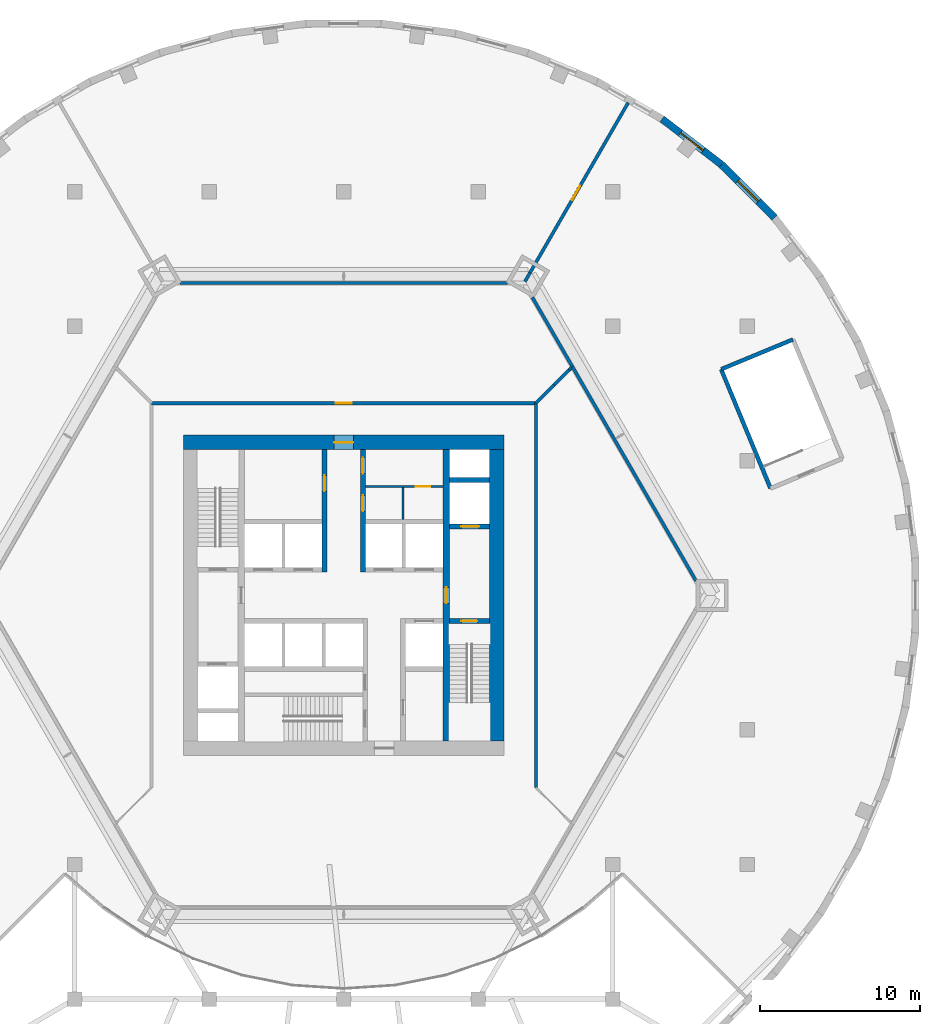
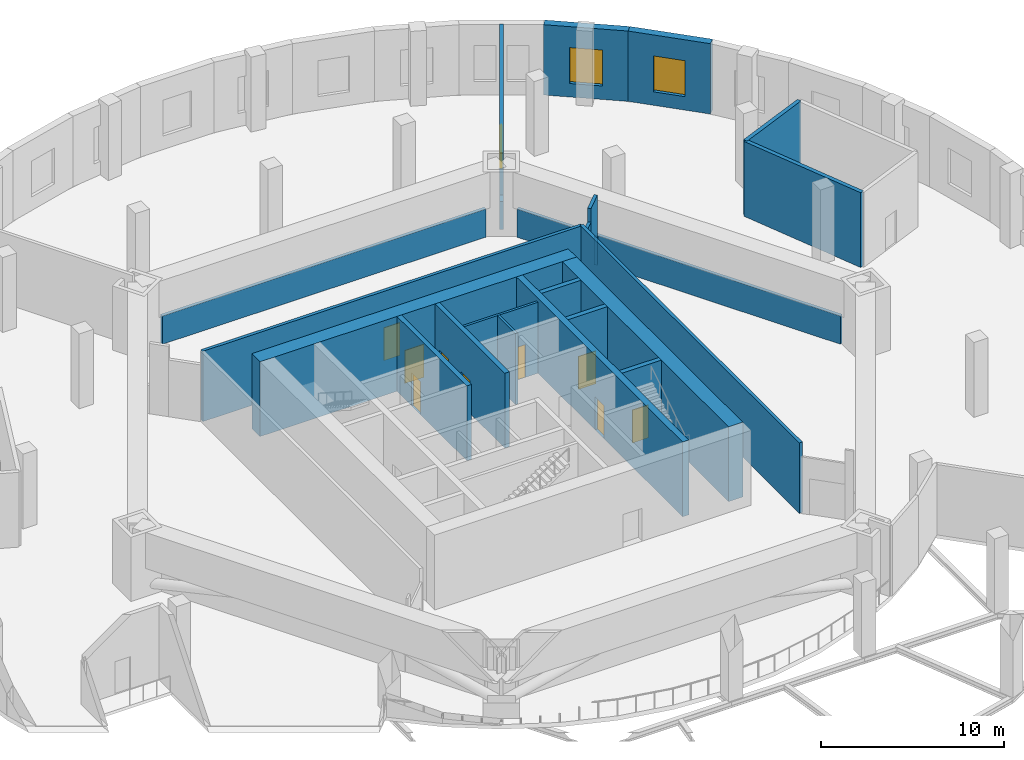
# One storey, part 7 of 10: 24 walls, 10 doors, 2 windows, 12 openings.
"""IFC4 building model written with IfcOpenShell, lengths in metres."""

from ifc_helpers import new_model, si_unit, direction, frame, frame_2d, origin, place, context, subcontext, project, spatial, rectangle, extrude, material, layer, layer_set, type_object, element, fill, save


model = new_model("IFC4")

# Units and contexts
model_context = context("Model", 3, precision=1e-05, world=origin(), true_north=direction((0.0, 1.0)))
body_context = subcontext(model_context, "Body", "Model", "MODEL_VIEW")
ifc_project = project(units=[si_unit("LENGTHUNIT", "METRE"), si_unit("AREAUNIT", "SQUARE_METRE"), si_unit("VOLUMEUNIT", "CUBIC_METRE"), si_unit("PLANEANGLEUNIT", "RADIAN"), si_unit("MASSUNIT", "GRAM", prefix="KILO")], contexts=[model_context])

# Site, building, storey
site_placement = place(None, origin())
site = spatial("IfcSite", under=ifc_project, at=site_placement, CompositionType="ELEMENT")
building_placement = place(site_placement, origin())
building = spatial("IfcBuilding", under=site, at=building_placement, Name="Golbaran Civic Tower", CompositionType="ELEMENT")
storey_placement = place(building_placement, frame((0.0, 0.0, 16.0)))
storey = spatial("IfcBuildingStorey", under=building, at=storey_placement, Name="L03", CompositionType="ELEMENT", Elevation=16.0)

# Wall, opening, door
ifc_material_1 = material(Name="Concrete block", Category="concrete")
ifc_layer_1 = layer(ifc_material_1, 0.14990234375, Name="Concrete block")
ifc_layer_set_1 = layer_set([ifc_layer_1], Name="Concrete block")
wall_type_1 = type_object("IfcWallType", Name="BLOCKWORK PARTITION 150", PredefinedType="PARTITIONING", material=ifc_layer_set_1)
wall_1_placement = place(storey_placement, frame((1.35009765625, 6.800048828125, 0.0), z_axis=(0.0, 0.0, 1.0), x_axis=(1.0, 0.0, 0.0)))
wall_1 = element("IfcWall", 1, at=wall_1_placement, inside=storey, type_object=wall_type_1, Name="Toilet block partition TN1 L03", PredefinedType="PARTITIONING", context=body_context, shape_type="SweptSolid", body=[
    extrude(rectangle(XDim=4.849853515625, YDim=0.14990234375, at=frame_2d((2.4248046875, 0.0))), origin(), (0.0, 0.0, 1.0), 4.75),
])
opening_1_placement = place(wall_1_placement, frame((3.14990234375, 0.0, 0.0)))
opening_1 = element("IfcOpeningElement", 2, at=opening_1_placement, cuts=wall_1, Name="Opening L03.CLN", PredefinedType="OPENING", context=body_context, shape_type="SweptSolid", body=[
    extrude(rectangle(XDim=0.89990234375, YDim=2.199951171875, at=frame_2d((0.449951171875, 1.10009765625))), frame((0.0, 0.0849609375, 0.0), z_axis=(0.0, -1.0, 0.0), x_axis=(1.0, 0.0, 0.0)), (0.0, 0.0, 1.0), 0.169921875),
])
ifc_material_2 = material(Name="Timber door set in steel frame", Category="steel")
door_type_1 = type_object("IfcDoorType", Name="RISER DOOR 900x2200", OperationType="SINGLE_SWING_LEFT", PredefinedType="DOOR", material=ifc_material_2)
door_1_placement = place(opening_1_placement, origin())
door_1 = element("IfcDoor", 3, at=door_1_placement, inside=storey, type_object=door_type_1, Name="Cleaner's Store door", OperationType="SINGLE_SWING_RIGHT", OverallHeight=2.199951171875, OverallWidth=0.89990234375, PredefinedType="DOOR", context=body_context, shape_type="SweptSolid", body=[
    extrude(rectangle(XDim=0.89990234375, YDim=2.199951171875, at=frame_2d((0.449951171875, 1.10009765625))), frame((0.0, 0.02490234375, 0.0), z_axis=(0.0, -1.0, 0.0), x_axis=(1.0, 0.0, 0.0)), (0.0, 0.0, 1.0), 0.050048828125),
])
fill(opening_1, door_1)

# Wall
wall_2_placement = place(storey_placement, frame((3.699951171875, 4.75, 0.0), z_axis=(0.0, 0.0, 1.0), x_axis=(0.0, 1.0, 0.0)))
element("IfcWall", 4, at=wall_2_placement, inside=storey, type_object=wall_type_1, Name="Toilet block partition TN2 L03", PredefinedType="PARTITIONING", context=body_context, shape_type="SweptSolid", body=[
    extrude(rectangle(XDim=1.97509765625, YDim=0.14990234375, at=frame_2d((0.987548828125, 0.0))), origin(), (0.0, 0.0, 1.0), 4.75),
])

# Wall, opening, door
ifc_material_3 = material(Name="Concrete C50/60", Category="concrete")
ifc_layer_2 = layer(ifc_material_3, 0.39990234375, Name="Concrete C50/60")
ifc_layer_set_2 = layer_set([ifc_layer_2], Name="Concrete C50/60")
wall_type_2 = type_object("IfcWallType", Name="CORE WALL CONCRETE 400", PredefinedType="SOLIDWALL", material=ifc_layer_set_2)
wall_3_placement = place(storey_placement, frame((6.39990234375, 9.10009765625, 0.0), z_axis=(0.0, 0.0, 1.0), x_axis=(0.0, -1.0, 0.0)))
wall_3 = element("IfcWall", 5, at=wall_3_placement, inside=storey, type_object=wall_type_2, Name="Core wall IE L03", PredefinedType="SOLIDWALL", context=body_context, shape_type="SweptSolid", body=[
    extrude(rectangle(XDim=18.2001953125, YDim=0.39990234375, at=frame_2d((9.10009765625, 0.0))), origin(), (0.0, 0.0, 1.0), 5.0),
])
opening_2_placement = place(wall_3_placement, frame((8.60009765625, 0.0, 0.0)))
opening_2 = element("IfcOpeningElement", 6, at=opening_2_placement, cuts=wall_3, Name="Opening L03.FL2", PredefinedType="OPENING", context=body_context, shape_type="SweptSolid", body=[
    extrude(rectangle(XDim=1.0, YDim=2.199951171875, at=frame_2d((0.5, 1.10009765625))), frame((0.0, 0.2099609375, 0.0), z_axis=(0.0, -1.0, 0.0), x_axis=(1.0, 0.0, 0.0)), (0.0, 0.0, 1.0), 0.419921875),
])
door_type_2 = type_object("IfcDoorType", Name="STAIR DOOR 1000x2200", OperationType="SINGLE_SWING_LEFT", PredefinedType="DOOR", material=ifc_material_2)
door_2_placement = place(opening_2_placement, origin())
door_2 = element("IfcDoor", 7, at=door_2_placement, inside=storey, type_object=door_type_2, Name="Fire-fighting lobby FL2 door", OperationType="SINGLE_SWING_RIGHT", OverallHeight=2.199951171875, OverallWidth=1.0, PredefinedType="DOOR", context=body_context, shape_type="SweptSolid", body=[
    extrude(rectangle(XDim=1.0, YDim=2.199951171875, at=frame_2d((0.5, 1.10009765625))), frame((0.0, 0.02490234375, 0.0), z_axis=(0.0, -1.0, 0.0), x_axis=(1.0, 0.0, 0.0)), (0.0, 0.0, 1.0), 0.050048828125),
])
fill(opening_2, door_2)

ifc_layer_3 = layer(ifc_material_3, 0.89990234375, Name="Concrete C50/60")
ifc_layer_set_3 = layer_set([ifc_layer_3], Name="Concrete C50/60")
wall_type_3 = type_object("IfcWallType", Name="CORE WALL CONCRETE 900", PredefinedType="SOLIDWALL", material=ifc_layer_set_3)
wall_4_placement = place(storey_placement, frame((-10.0, 9.550048828125, 0.0), z_axis=(0.0, 0.0, 1.0), x_axis=(1.0, 0.0, 0.0)))
wall_4 = element("IfcWall", 8, at=wall_4_placement, inside=storey, type_object=wall_type_3, Name="Core wall CN L03", PredefinedType="SOLIDWALL", context=body_context, shape_type="SweptSolid", body=[
    extrude(rectangle(XDim=20.0, YDim=0.89990234375, at=frame_2d((10.0, 0.0))), origin(), (0.0, 0.0, 1.0), 5.0),
])
opening_3_placement = place(wall_4_placement, frame((9.39990234375, 0.0, 0.0)))
opening_3 = element("IfcOpeningElement", 9, at=opening_3_placement, cuts=wall_4, Name="Opening L03.CN", PredefinedType="OPENING", context=body_context, shape_type="SweptSolid", body=[
    extrude(rectangle(XDim=1.199951171875, YDim=2.199951171875, at=frame_2d((0.60009765625, 1.10009765625))), frame((0.0, 0.4599609375, 0.0), z_axis=(0.0, -1.0, 0.0), x_axis=(1.0, 0.0, 0.0)), (0.0, 0.0, 1.0), 0.919921875),
])
door_type_3 = type_object("IfcDoorType", Name="CORE DOOR 1200x2200", OperationType="DOUBLE_DOOR_SINGLE_SWING", PredefinedType="DOOR", material=ifc_material_2)
door_3_placement = place(opening_3_placement, origin())
door_3 = element("IfcDoor", 10, at=door_3_placement, inside=storey, type_object=door_type_3, Name="Core door north", OperationType="DOUBLE_DOOR_SINGLE_SWING", OverallHeight=2.199951171875, OverallWidth=1.199951171875, PredefinedType="DOOR", context=body_context, shape_type="SweptSolid", body=[
    extrude(rectangle(XDim=1.199951171875, YDim=2.199951171875, at=frame_2d((0.60009765625, 1.10009765625))), frame((0.0, 0.02490234375, 0.0), z_axis=(0.0, -1.0, 0.0), x_axis=(1.0, 0.0, 0.0)), (0.0, 0.0, 1.0), 0.050048828125),
])
fill(opening_3, door_3)

# Walls
wall_5_placement = place(storey_placement, frame((9.550048828125, -9.10009765625, 0.0), z_axis=(0.0, 0.0, 1.0), x_axis=(0.0, 1.0, 0.0)))
element("IfcWall", 11, at=wall_5_placement, inside=storey, type_object=wall_type_3, Name="Core wall CE L03", PredefinedType="SOLIDWALL", context=body_context, shape_type="SweptSolid", body=[
    extrude(rectangle(XDim=18.2001953125, YDim=0.89990234375, at=frame_2d((9.10009765625, 0.0))), origin(), (0.0, 0.0, 1.0), 5.0),
])
ifc_material_4 = material(Name="Concrete block, plastered", Category="concrete")
ifc_layer_4 = layer(ifc_material_4, 0.199951171875, Name="Concrete block, plastered")
ifc_layer_set_4 = layer_set([ifc_layer_4], Name="Concrete block, plastered")
wall_type_4 = type_object("IfcWallType", Name="PODIUM PARTITION 200", PredefinedType="PARTITIONING", material=ifc_layer_set_4)
wall_6_placement = place(storey_placement, frame((-10.22509765625, 19.5, 0.0), z_axis=(0.0, 0.0, 1.0), x_axis=(1.0, 0.0, 0.0)))
element("IfcWall", 12, at=wall_6_placement, inside=storey, type_object=wall_type_4, Name="Podium partition L03 under the transfer girder", PredefinedType="PARTITIONING", context=body_context, shape_type="SweptSolid", body=[
    extrude(rectangle(XDim=20.4501953125, YDim=0.199951171875, at=frame_2d((10.22509765625, 0.0))), origin(), (0.0, 0.0, 1.0), 1.889892578125),
])
wall_7_placement = place(storey_placement, frame((11.779052734375, 18.602783203125, 0.0), z_axis=(0.0, 0.0, 1.0), x_axis=(0.500785735381, -0.865571283742, 0.0)))
element("IfcWall", 13, at=wall_7_placement, inside=storey, type_object=wall_type_4, Name="Podium partition L03 under the transfer girder", PredefinedType="PARTITIONING", context=body_context, shape_type="SweptSolid", body=[
    extrude(rectangle(XDim=4.994140625, YDim=0.199951171875, at=frame_2d((2.4970703125, 0.0))), origin(), (0.0, 0.0, 1.0), 1.889892578125),
])

# Wall, opening, door
wall_8_placement = place(storey_placement, frame((11.622314453125, 20.1279296875, 0.0), z_axis=(0.0, 0.0, 1.0), x_axis=(0.499954853145, 0.866051467764, 0.0)))
wall_8 = element("IfcWall", 14, at=wall_8_placement, inside=storey, type_object=wall_type_4, Name="Podium partition L03", PredefinedType="PARTITIONING", context=body_context, shape_type="SweptSolid", body=[
    extrude(rectangle(XDim=12.276611328125, YDim=0.199951171875, at=frame_2d((6.13818359375, 0.0))), origin(), (0.0, 0.0, 1.0), 4.699951171875),
])
opening_4_placement = place(wall_8_placement, frame((5.27587890625, 0.0, 0.0)))
opening_4 = element("IfcOpeningElement", 15, at=opening_4_placement, cuts=wall_8, Name="Opening L03.04", PredefinedType="OPENING", context=body_context, shape_type="SweptSolid", body=[
    extrude(rectangle(XDim=1.0, YDim=2.199951171875, at=frame_2d((0.5, 1.10009765625))), frame((0.0, 0.10986328125, 0.0), z_axis=(0.0, -1.0, 0.0), x_axis=(1.0, 0.0, 0.0)), (0.0, 0.0, 1.0), 0.219970703125),
])
door_type_4 = type_object("IfcDoorType", Name="OFFICE DOOR 1000x2200", OperationType="SINGLE_SWING_LEFT", PredefinedType="DOOR", material=ifc_material_2)
door_4_placement = place(opening_4_placement, origin())
door_4 = element("IfcDoor", 16, at=door_4_placement, inside=storey, type_object=door_type_4, Name="Podium Plant Room door", OperationType="SINGLE_SWING_LEFT", OverallHeight=2.199951171875, OverallWidth=1.0, PredefinedType="DOOR", context=body_context, shape_type="SweptSolid", body=[
    extrude(rectangle(XDim=1.0, YDim=2.199951171875, at=frame_2d((0.5, 1.10009765625))), frame((0.0, 0.02490234375, 0.0), z_axis=(0.0, -1.0, 0.0), x_axis=(1.0, 0.0, 0.0)), (0.0, 0.0, 1.0), 0.050048828125),
])
fill(opening_4, door_4)

# Walls
wall_9_placement = place(storey_placement, frame((11.316162109375, 19.59716796875, 0.0), z_axis=(0.0, 0.0, 1.0), x_axis=(0.500070134591, 0.865984907773, 0.0)))
element("IfcWall", 17, at=wall_9_placement, inside=storey, type_object=wall_type_4, Name="Podium partition L03 under the beam over", PredefinedType="PARTITIONING", context=body_context, shape_type="SweptSolid", body=[
    extrude(rectangle(XDim=0.60791015625, YDim=0.199951171875, at=frame_2d((0.303955078125, 0.0))), origin(), (0.0, 0.0, 1.0), 1.889892578125),
])
wall_10_placement = place(storey_placement, frame((12.0, 12.0, 0.0), z_axis=(0.0, 0.0, 1.0), x_axis=(0.707106781187, 0.707106781187, 0.0)))
element("IfcWall", 18, at=wall_10_placement, inside=storey, type_object=wall_type_4, Name="Podium partition L03", PredefinedType="PARTITIONING", context=body_context, shape_type="SweptSolid", body=[
    extrude(rectangle(XDim=1.6103515625, YDim=0.199951171875, at=frame_2d((0.80517578125, 0.0))), origin(), (0.0, 0.0, 1.0), 3.7900390625),
])
wall_11_placement = place(storey_placement, frame((13.138671875, 13.138671875, 0.0), z_axis=(0.0, 0.0, 1.0), x_axis=(0.707106781187, 0.707106781187, 0.0)))
element("IfcWall", 19, at=wall_11_placement, inside=storey, type_object=wall_type_4, Name="Podium partition L03 (part 2)", PredefinedType="PARTITIONING", context=body_context, shape_type="SweptSolid", body=[
    extrude(rectangle(XDim=1.346435546875, YDim=0.199951171875, at=frame_2d((0.67333984375, 0.0))), origin(), (0.0, 0.0, 1.0), 4.699951171875),
])
wall_12_placement = place(storey_placement, frame((14.0908203125, 14.0908203125, 0.0), z_axis=(0.0, 0.0, 1.0), x_axis=(0.707106781187, 0.707106781187, 0.0)))
element("IfcWall", 20, at=wall_12_placement, inside=storey, type_object=wall_type_4, Name="Podium partition L03 under the beam over", PredefinedType="PARTITIONING", context=body_context, shape_type="SweptSolid", body=[
    extrude(rectangle(XDim=0.1552734375, YDim=0.199951171875, at=frame_2d((0.07763671875, 0.0))), origin(), (0.0, 0.0, 1.0), 1.889892578125),
])
wall_13_placement = place(storey_placement, frame((14.280029296875, 14.280029296875, 0.0), z_axis=(0.0, 0.0, 1.0), x_axis=(0.499789042554, -0.866147165869, 0.0)))
element("IfcWall", 21, at=wall_13_placement, inside=storey, type_object=wall_type_4, Name="Podium partition L03 under the transfer girder", PredefinedType="PARTITIONING", context=body_context, shape_type="SweptSolid", body=[
    extrude(rectangle(XDim=15.446533203125, YDim=0.199951171875, at=frame_2d((7.72314453125, 0.0))), origin(), (0.0, 0.0, 1.0), 1.889892578125),
])
wall_14_placement = place(storey_placement, frame((12.0, -12.0, 0.0), z_axis=(0.0, 0.0, 1.0), x_axis=(0.0, 1.0, 0.0)))
element("IfcWall", 22, at=wall_14_placement, inside=storey, type_object=wall_type_4, Name="Podium corridor wall L03", PredefinedType="PARTITIONING", context=body_context, shape_type="SweptSolid", body=[
    extrude(rectangle(XDim=24.0, YDim=0.199951171875, at=frame_2d((12.0, 0.0))), origin(), (0.0, 0.0, 1.0), 4.699951171875),
])

# Wall, opening, door
wall_15_placement = place(storey_placement, frame((12.0, 12.0, 0.0), z_axis=(0.0, 0.0, 1.0), x_axis=(-1.0, 0.0, 0.0)))
wall_15 = element("IfcWall", 23, at=wall_15_placement, inside=storey, type_object=wall_type_4, Name="Podium corridor wall L03", PredefinedType="PARTITIONING", context=body_context, shape_type="SweptSolid", body=[
    extrude(rectangle(XDim=24.0, YDim=0.199951171875, at=frame_2d((12.0, 0.0))), origin(), (0.0, 0.0, 1.0), 4.699951171875),
])
opening_5_placement = place(wall_15_placement, frame((11.5, 0.0, 0.0)))
opening_5 = element("IfcOpeningElement", 24, at=opening_5_placement, cuts=wall_15, Name="Opening L03.01", PredefinedType="OPENING", context=body_context, shape_type="SweptSolid", body=[
    extrude(rectangle(XDim=1.0, YDim=2.199951171875, at=frame_2d((0.5, 1.10009765625))), frame((0.0, 0.10986328125, 0.0), z_axis=(0.0, -1.0, 0.0), x_axis=(1.0, 0.0, 0.0)), (0.0, 0.0, 1.0), 0.219970703125),
])
door_5_placement = place(opening_5_placement, origin())
door_5 = element("IfcDoor", 25, at=door_5_placement, inside=storey, type_object=door_type_4, Name="Office 2 door", OperationType="SINGLE_SWING_RIGHT", OverallHeight=2.199951171875, OverallWidth=1.0, PredefinedType="DOOR", context=body_context, shape_type="SweptSolid", body=[
    extrude(rectangle(XDim=1.0, YDim=2.199951171875, at=frame_2d((0.5, 1.10009765625))), frame((0.0, 0.02490234375, 0.0), z_axis=(0.0, -1.0, 0.0), x_axis=(1.0, 0.0, 0.0)), (0.0, 0.0, 1.0), 0.050048828125),
])
fill(opening_5, door_5)

ifc_layer_5 = layer(ifc_material_3, 0.300048828125, Name="Concrete C50/60")
ifc_layer_set_5 = layer_set([ifc_layer_5], Name="Concrete C50/60")
wall_type_5 = type_object("IfcWallType", Name="SHAFT WALL CONCRETE 300", PredefinedType="SOLIDWALL", material=ifc_layer_set_5)
wall_16_placement = place(storey_placement, frame((-1.199951171875, 1.449951171875, 0.0), z_axis=(0.0, 0.0, 1.0), x_axis=(0.0, 1.0, 0.0)))
wall_16 = element("IfcWall", 26, at=wall_16_placement, inside=storey, type_object=wall_type_5, Name="Core wall PNW L03", PredefinedType="SOLIDWALL", context=body_context, shape_type="SweptSolid", body=[
    extrude(rectangle(XDim=7.650146484375, YDim=0.300048828125, at=frame_2d((3.8251953125, 0.0))), origin(), (0.0, 0.0, 1.0), 5.0),
])
opening_6_placement = place(wall_16_placement, frame((5.050048828125, 0.0, 0.0)))
opening_6 = element("IfcOpeningElement", 27, at=opening_6_placement, cuts=wall_16, Name="Opening L03.WCM", PredefinedType="OPENING", context=body_context, shape_type="SweptSolid", body=[
    extrude(rectangle(XDim=1.0, YDim=2.199951171875, at=frame_2d((0.5, 1.10009765625))), frame((0.0, 0.159912109375, 0.0), z_axis=(0.0, -1.0, 0.0), x_axis=(1.0, 0.0, 0.0)), (0.0, 0.0, 1.0), 0.320068359375),
])
door_type_5 = type_object("IfcDoorType", Name="TOILET DOOR 1000x2200", OperationType="SINGLE_SWING_LEFT", PredefinedType="DOOR", material=ifc_material_2)
door_6_placement = place(opening_6_placement, origin())
door_6 = element("IfcDoor", 28, at=door_6_placement, inside=storey, type_object=door_type_5, Name="North-west toilet block door", OperationType="SINGLE_SWING_RIGHT", OverallHeight=2.199951171875, OverallWidth=1.0, PredefinedType="DOOR", context=body_context, shape_type="SweptSolid", body=[
    extrude(rectangle(XDim=1.0, YDim=2.199951171875, at=frame_2d((0.5, 1.10009765625))), frame((0.0, 0.02490234375, 0.0), z_axis=(0.0, -1.0, 0.0), x_axis=(1.0, 0.0, 0.0)), (0.0, 0.0, 1.0), 0.050048828125),
])
fill(opening_6, door_6)

# Wall, openings, doors
wall_17_placement = place(storey_placement, frame((1.199951171875, 1.449951171875, 0.0), z_axis=(0.0, 0.0, 1.0), x_axis=(0.0, 1.0, 0.0)))
wall_17 = element("IfcWall", 29, at=wall_17_placement, inside=storey, type_object=wall_type_5, Name="Core wall PNE L03", PredefinedType="SOLIDWALL", context=body_context, shape_type="SweptSolid", body=[
    extrude(rectangle(XDim=7.650146484375, YDim=0.300048828125, at=frame_2d((3.8251953125, 0.0))), origin(), (0.0, 0.0, 1.0), 5.0),
])
opening_7_placement = place(wall_17_placement, frame((3.800048828125, 0.0, 0.0)))
opening_7 = element("IfcOpeningElement", 30, at=opening_7_placement, cuts=wall_17, Name="Opening L03.WCA", PredefinedType="OPENING", context=body_context, shape_type="SweptSolid", body=[
    extrude(rectangle(XDim=1.0, YDim=2.199951171875, at=frame_2d((0.5, 1.10009765625))), frame((0.0, 0.159912109375, 0.0), z_axis=(0.0, -1.0, 0.0), x_axis=(1.0, 0.0, 0.0)), (0.0, 0.0, 1.0), 0.320068359375),
])
opening_8_placement = place(wall_17_placement, frame((6.14990234375, 0.0, 0.0)))
opening_8 = element("IfcOpeningElement", 31, at=opening_8_placement, cuts=wall_17, Name="Opening L03.WCF", PredefinedType="OPENING", context=body_context, shape_type="SweptSolid", body=[
    extrude(rectangle(XDim=1.0, YDim=2.199951171875, at=frame_2d((0.5, 1.10009765625))), frame((0.0, 0.159912109375, 0.0), z_axis=(0.0, -1.0, 0.0), x_axis=(1.0, 0.0, 0.0)), (0.0, 0.0, 1.0), 0.320068359375),
])
door_7_placement = place(opening_7_placement, origin())
door_7 = element("IfcDoor", 32, at=door_7_placement, inside=storey, type_object=door_type_5, Name="Accessible WC door", OperationType="SINGLE_SWING_RIGHT", OverallHeight=2.199951171875, OverallWidth=1.0, PredefinedType="DOOR", context=body_context, shape_type="SweptSolid", body=[
    extrude(rectangle(XDim=1.0, YDim=2.199951171875, at=frame_2d((0.5, 1.10009765625))), frame((0.0, 0.02490234375, 0.0), z_axis=(0.0, -1.0, 0.0), x_axis=(1.0, 0.0, 0.0)), (0.0, 0.0, 1.0), 0.050048828125),
])
fill(opening_7, door_7)
door_8_placement = place(opening_8_placement, origin())
door_8 = element("IfcDoor", 33, at=door_8_placement, inside=storey, type_object=door_type_5, Name="North-east toilet block door", OperationType="SINGLE_SWING_RIGHT", OverallHeight=2.199951171875, OverallWidth=1.0, PredefinedType="DOOR", context=body_context, shape_type="SweptSolid", body=[
    extrude(rectangle(XDim=1.0, YDim=2.199951171875, at=frame_2d((0.5, 1.10009765625))), frame((0.0, 0.02490234375, 0.0), z_axis=(0.0, -1.0, 0.0), x_axis=(1.0, 0.0, 0.0)), (0.0, 0.0, 1.0), 0.050048828125),
])
fill(opening_8, door_8)

# Wall, opening, door
wall_18_placement = place(storey_placement, frame((6.60009765625, -1.60009765625, 0.0), z_axis=(0.0, 0.0, 1.0), x_axis=(1.0, 0.0, 0.0)))
wall_18 = element("IfcWall", 34, at=wall_18_placement, inside=storey, type_object=wall_type_5, Name="Core wall XE1 L03", PredefinedType="SOLIDWALL", context=body_context, shape_type="SweptSolid", body=[
    extrude(rectangle(XDim=2.5, YDim=0.300048828125, at=frame_2d((1.25, 0.0))), origin(), (0.0, 0.0, 1.0), 5.0),
])
opening_9_placement = place(wall_18_placement, frame((0.75, 0.0, 0.0)))
opening_9 = element("IfcOpeningElement", 35, at=opening_9_placement, cuts=wall_18, Name="Opening L03.S2", PredefinedType="OPENING", context=body_context, shape_type="SweptSolid", body=[
    extrude(rectangle(XDim=1.0, YDim=2.199951171875, at=frame_2d((0.5, 1.10009765625))), frame((0.0, 0.159912109375, 0.0), z_axis=(0.0, -1.0, 0.0), x_axis=(1.0, 0.0, 0.0)), (0.0, 0.0, 1.0), 0.320068359375),
])
door_9_placement = place(opening_9_placement, origin())
door_9 = element("IfcDoor", 36, at=door_9_placement, inside=storey, type_object=door_type_2, Name="Stair S2 door", OperationType="SINGLE_SWING_LEFT", OverallHeight=2.199951171875, OverallWidth=1.0, PredefinedType="DOOR", context=body_context, shape_type="SweptSolid", body=[
    extrude(rectangle(XDim=1.0, YDim=2.199951171875, at=frame_2d((0.5, 1.10009765625))), frame((0.0, 0.02490234375, 0.0), z_axis=(0.0, -1.0, 0.0), x_axis=(1.0, 0.0, 0.0)), (0.0, 0.0, 1.0), 0.050048828125),
])
fill(opening_9, door_9)

wall_19_placement = place(storey_placement, frame((6.60009765625, 4.300048828125, 0.0), z_axis=(0.0, 0.0, 1.0), x_axis=(1.0, 0.0, 0.0)))
wall_19 = element("IfcWall", 37, at=wall_19_placement, inside=storey, type_object=wall_type_5, Name="Core wall XE2 L03", PredefinedType="SOLIDWALL", context=body_context, shape_type="SweptSolid", body=[
    extrude(rectangle(XDim=2.5, YDim=0.300048828125, at=frame_2d((1.25, 0.0))), origin(), (0.0, 0.0, 1.0), 5.0),
])
opening_10_placement = place(wall_19_placement, frame((0.75, 0.0, 0.0)))
opening_10 = element("IfcOpeningElement", 38, at=opening_10_placement, cuts=wall_19, Name="Opening L03.LD-F2", PredefinedType="OPENING", context=body_context, shape_type="SweptSolid", body=[
    extrude(rectangle(XDim=1.10009765625, YDim=2.199951171875, at=frame_2d((0.550048828125, 1.10009765625))), frame((0.0, 0.159912109375, 0.0), z_axis=(0.0, -1.0, 0.0), x_axis=(1.0, 0.0, 0.0)), (0.0, 0.0, 1.0), 0.320068359375),
])
ifc_material_5 = material(Name="Stainless steel", Category="steel")
door_type_6 = type_object("IfcDoorType", Name="LIFT LANDING DOOR 1100x2200", OperationType="SLIDING_TO_LEFT", PredefinedType="DOOR", material=ifc_material_5)
door_10_placement = place(opening_10_placement, origin())
door_10 = element("IfcDoor", 39, at=door_10_placement, inside=storey, type_object=door_type_6, Name="Lift landing door F2", OperationType="SLIDING_TO_LEFT", OverallHeight=2.199951171875, OverallWidth=1.10009765625, PredefinedType="DOOR", context=body_context, shape_type="SweptSolid", body=[
    extrude(rectangle(XDim=1.10009765625, YDim=2.199951171875, at=frame_2d((0.550048828125, 1.10009765625))), frame((0.0, 0.02490234375, 0.0), z_axis=(0.0, -1.0, 0.0), x_axis=(1.0, 0.0, 0.0)), (0.0, 0.0, 1.0), 0.050048828125),
])
fill(opening_10, door_10)

# Walls
wall_20_placement = place(storey_placement, frame((6.60009765625, 7.199951171875, 0.0), z_axis=(0.0, 0.0, 1.0), x_axis=(1.0, 0.0, 0.0)))
element("IfcWall", 40, at=wall_20_placement, inside=storey, type_object=wall_type_5, Name="Core wall XE3 L03", PredefinedType="SOLIDWALL", context=body_context, shape_type="SweptSolid", body=[
    extrude(rectangle(XDim=2.5, YDim=0.300048828125, at=frame_2d((1.25, 0.0))), origin(), (0.0, 0.0, 1.0), 5.0),
])
ifc_layer_6 = layer(ifc_material_3, 0.25, Name="Concrete C50/60")
ifc_layer_set_6 = layer_set([ifc_layer_6], Name="Concrete C50/60")
wall_type_6 = type_object("IfcWallType", Name="STAIR ENCLOSURE WALL CONCRETE 250", PredefinedType="SOLIDWALL", material=ifc_layer_set_6)
wall_21_placement = place(storey_placement, frame((26.646728515625, 6.680908203125, 0.0), z_axis=(0.0, 0.0, 1.0), x_axis=(-0.382689294869, 0.923877104161, 0.0)))
element("IfcWall", 41, at=wall_21_placement, inside=storey, type_object=wall_type_6, Name="Stair P1 enclosure B L03", PredefinedType="SOLIDWALL", context=body_context, shape_type="SweptSolid", body=[
    extrude(rectangle(XDim=8.0498046875, YDim=0.25, at=frame_2d((4.02490234375, 0.0))), origin(), (0.0, 0.0, 1.0), 5.0),
])
wall_22_placement = place(storey_placement, frame((23.566162109375, 14.117919921875, 0.0), z_axis=(0.0, 0.0, 1.0), x_axis=(0.923862828997, 0.382723755727, 0.0)))
element("IfcWall", 42, at=wall_22_placement, inside=storey, type_object=wall_type_6, Name="Stair P1 enclosure C L03", PredefinedType="SOLIDWALL", context=body_context, shape_type="SweptSolid", body=[
    extrude(rectangle(XDim=4.85009765625, YDim=0.25, at=frame_2d((2.425048828125, 0.0))), origin(), (0.0, 0.0, 1.0), 5.0),
])

# Wall, opening, window
ifc_material_6 = material(Name="Terracotta brick", Category="masonry")
ifc_layer_7 = layer(ifc_material_6, 0.449951171875, Name="Terracotta brick")
ifc_layer_set_7 = layer_set([ifc_layer_7], Name="Terracotta brick")
wall_type_7 = type_object("IfcWallType", Name="TERRACOTTA BRICK FACADE WALL 450", PredefinedType="SOLIDWALL", material=ifc_layer_set_7)
wall_23_placement = place(storey_placement, frame((26.89697265625, 23.588134765625, 0.0), z_axis=(0.0, 0.0, 1.0), x_axis=(-0.707106781187, 0.707106781187, 0.0)))
wall_23 = element("IfcWall", 43, at=wall_23_placement, inside=storey, type_object=wall_type_7, Name="Podium wall L03 facet 6", PredefinedType="SOLIDWALL", context=body_context, shape_type="SweptSolid", body=[
    extrude(rectangle(XDim=4.679443359375, YDim=0.449951171875, at=frame_2d((2.33984375, 0.0))), origin(), (0.0, 0.0, 1.0), 4.699951171875),
])
opening_11_placement = place(wall_23_placement, frame((1.439697265625, 0.0, 0.89990234375)))
opening_11 = element("IfcOpeningElement", 44, at=opening_11_placement, cuts=wall_23, Name="Opening L03.W06", PredefinedType="OPENING", context=body_context, shape_type="SweptSolid", body=[
    extrude(rectangle(XDim=1.800048828125, YDim=2.39990234375, at=frame_2d((0.89990234375, 1.199951171875))), frame((0.0, 0.23486328125, 0.0), z_axis=(0.0, -1.0, 0.0), x_axis=(1.0, 0.0, 0.0)), (0.0, 0.0, 1.0), 0.469970703125),
])
ifc_material_7 = material(Name="Aluminium frame, clear glass", Category="aluminium")
window_type = type_object("IfcWindowType", Name="PODIUM WINDOW 1800x2400", PartitioningType="SINGLE_PANEL", PredefinedType="WINDOW", material=ifc_material_7)
window_1_placement = place(opening_11_placement, origin())
window_1 = element("IfcWindow", 45, at=window_1_placement, inside=storey, type_object=window_type, Name="Podium window L03 facet 6", OverallHeight=2.39990234375, OverallWidth=1.800048828125, PartitioningType="SINGLE_PANEL", PredefinedType="WINDOW", context=body_context, shape_type="SweptSolid", body=[
    extrude(rectangle(XDim=1.800048828125, YDim=2.39990234375, at=frame_2d((0.89990234375, 1.199951171875))), frame((0.0, 0.030029296875, 0.0), z_axis=(0.0, -1.0, 0.0), x_axis=(1.0, 0.0, 0.0)), (0.0, 0.0, 1.0), 0.06005859375),
])
fill(opening_11, window_1)

wall_24_placement = place(storey_placement, frame((23.588134765625, 26.89697265625, 0.0), z_axis=(0.0, 0.0, 1.0), x_axis=(-0.79334682721, 0.608769916927, 0.0)))
wall_24 = element("IfcWall", 46, at=wall_24_placement, inside=storey, type_object=wall_type_7, Name="Podium wall L03 facet 7", PredefinedType="SOLIDWALL", context=body_context, shape_type="SweptSolid", body=[
    extrude(rectangle(XDim=4.6796875, YDim=0.449951171875, at=frame_2d((2.33984375, 0.0))), origin(), (0.0, 0.0, 1.0), 4.699951171875),
])
opening_12_placement = place(wall_24_placement, frame((1.439697265625, 0.0, 0.89990234375)))
opening_12 = element("IfcOpeningElement", 47, at=opening_12_placement, cuts=wall_24, Name="Opening L03.W07", PredefinedType="OPENING", context=body_context, shape_type="SweptSolid", body=[
    extrude(rectangle(XDim=1.800048828125, YDim=2.39990234375, at=frame_2d((0.89990234375, 1.199951171875))), frame((0.0, 0.23486328125, 0.0), z_axis=(0.0, -1.0, 0.0), x_axis=(1.0, 0.0, 0.0)), (0.0, 0.0, 1.0), 0.469970703125),
])
window_2_placement = place(opening_12_placement, origin())
window_2 = element("IfcWindow", 48, at=window_2_placement, inside=storey, type_object=window_type, Name="Podium window L03 facet 7", OverallHeight=2.39990234375, OverallWidth=1.800048828125, PartitioningType="SINGLE_PANEL", PredefinedType="WINDOW", context=body_context, shape_type="SweptSolid", body=[
    extrude(rectangle(XDim=1.800048828125, YDim=2.39990234375, at=frame_2d((0.89990234375, 1.199951171875))), frame((0.0, 0.030029296875, 0.0), z_axis=(0.0, -1.0, 0.0), x_axis=(1.0, 0.0, 0.0)), (0.0, 0.0, 1.0), 0.06005859375),
])
fill(opening_12, window_2)

save(model, "model.ifc")
